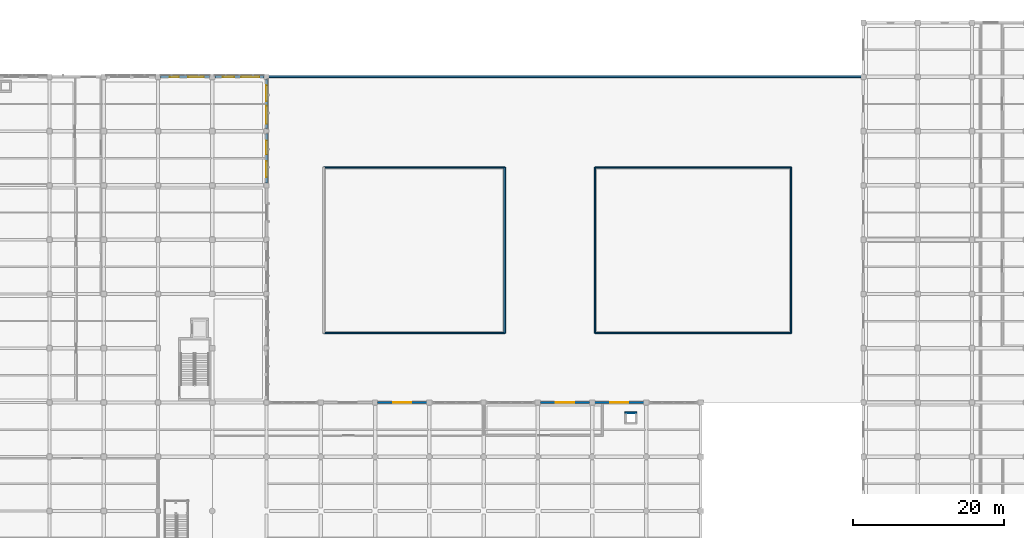
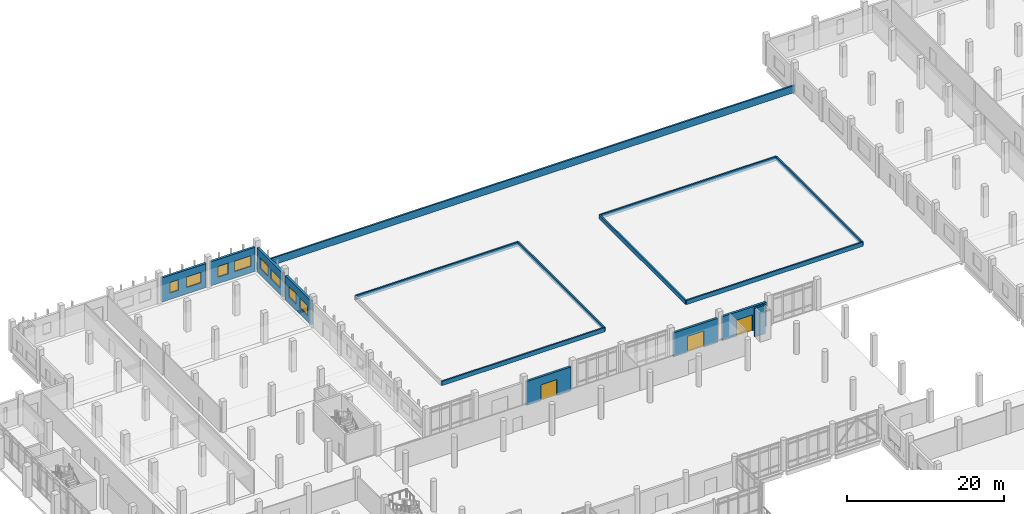
# One storey, part 39 of 59: 16 walls, 8 windows, 3 doors, 11 openings.
"""IFC4 building model written with IfcOpenShell, lengths in metres."""

from ifc_helpers import new_model, si_unit, direction, frame, frame_2d, origin, place, context, subcontext, project, spatial, rectangle, extrude, material, layer, layer_set, type_object, element, fill, save


model = new_model("IFC4")

# Units and contexts
model_context = context("Model", 3, precision=1e-05, world=origin(), true_north=direction((0.0, 1.0)))
body_context = subcontext(model_context, "Body", "Model", "MODEL_VIEW")
ifc_project = project(units=[si_unit("LENGTHUNIT", "METRE"), si_unit("AREAUNIT", "SQUARE_METRE"), si_unit("VOLUMEUNIT", "CUBIC_METRE"), si_unit("PLANEANGLEUNIT", "RADIAN"), si_unit("MASSUNIT", "GRAM", prefix="KILO")], contexts=[model_context])

# Site, building, storey
site_placement = place(None, origin())
site = spatial("IfcSite", under=ifc_project, at=site_placement, CompositionType="ELEMENT")
building_placement = place(site_placement, origin())
building = spatial("IfcBuilding", under=site, at=building_placement, Name="Valkovuoma Quantum and Materials Research Institute", CompositionType="ELEMENT")
storey_placement = place(building_placement, origin())
storey = spatial("IfcBuildingStorey", under=building, at=storey_placement, Name="L00", CompositionType="ELEMENT", Elevation=0.0)

# Wall, opening, door
ifc_material_1 = material(Name="Precast concrete C40/50", Category="concrete")
ifc_layer_1 = layer(ifc_material_1, 0.320068359375)
ifc_layer_set_1 = layer_set([ifc_layer_1], Name="Precast concrete C40/50")
wall_type_1 = type_object("IfcWallType", Name="Wall-W-EXT320", PredefinedType="SOLIDWALL", material=ifc_layer_set_1)
wall_1_placement = place(storey_placement, frame((65.139892578125, 64.800048828125, 0.0), z_axis=(0.0, 0.0, 1.0), x_axis=(1.0, 0.0, 0.0)))
wall_1 = element("IfcWall", 1, at=wall_1_placement, inside=storey, type_object=wall_type_1, Name="L00 exterior wall 0079", PredefinedType="SOLIDWALL", context=body_context, shape_type="SweptSolid", body=[
    extrude(rectangle(XDim=6.52001953125, YDim=0.320068359375, at=frame_2d((3.260009765625, 0.0))), origin(), (0.0, 0.0, 1.0), 3.75),
])
opening_1_placement = place(wall_1_placement, frame((2.06005859375, 0.0, 0.0)))
opening_1 = element("IfcOpeningElement", 2, at=opening_1_placement, cuts=wall_1, Name="Opening ED-014", PredefinedType="OPENING", context=body_context, shape_type="SweptSolid", body=[
    extrude(rectangle(XDim=2.39990234375, YDim=2.5, at=frame_2d((1.199951171875, 1.25))), frame((0.0, 0.169921875, 0.0), z_axis=(0.0, -1.0, 0.0), x_axis=(1.0, 0.0, 0.0)), (0.0, 0.0, 1.0), 0.340087890625),
])
ifc_material_2 = material(Name="Thermally broken insulated aluminium and steel door", Category="steel")
door_type = type_object("IfcDoorType", Name="Door-DR-EX05", OperationType="NOTDEFINED", PredefinedType="DOOR", material=ifc_material_2)
door_1_placement = place(opening_1_placement, origin())
door_1 = element("IfcDoor", 3, at=door_1_placement, inside=storey, type_object=door_type, Name="L00 exterior door 014", OperationType="DOUBLE_DOOR_SINGLE_SWING", OverallHeight=2.5, OverallWidth=2.39990234375, PredefinedType="DOOR", context=body_context, shape_type="SweptSolid", body=[
    extrude(rectangle(XDim=2.39990234375, YDim=2.5, at=frame_2d((1.199951171875, 1.25))), frame((0.0, 0.02490234375, 0.0), z_axis=(0.0, -1.0, 0.0), x_axis=(1.0, 0.0, 0.0)), (0.0, 0.0, 1.0), 0.050048828125),
])
fill(opening_1, door_1)

wall_2_placement = place(storey_placement, frame((86.739990234375, 64.800048828125, 0.0), z_axis=(0.0, 0.0, 1.0), x_axis=(1.0, 0.0, 0.0)))
wall_2 = element("IfcWall", 4, at=wall_2_placement, inside=storey, type_object=wall_type_1, Name="L00 exterior wall 0080", PredefinedType="SOLIDWALL", context=body_context, shape_type="SweptSolid", body=[
    extrude(rectangle(XDim=6.52001953125, YDim=0.320068359375, at=frame_2d((3.260009765625, 0.0))), origin(), (0.0, 0.0, 1.0), 3.75),
])
opening_2_placement = place(wall_2_placement, frame((2.06005859375, 0.0, 0.0)))
opening_2 = element("IfcOpeningElement", 5, at=opening_2_placement, cuts=wall_2, Name="Opening ED-015", PredefinedType="OPENING", context=body_context, shape_type="SweptSolid", body=[
    extrude(rectangle(XDim=2.39990234375, YDim=2.5, at=frame_2d((1.199951171875, 1.25))), frame((0.0, 0.169921875, 0.0), z_axis=(0.0, -1.0, 0.0), x_axis=(1.0, 0.0, 0.0)), (0.0, 0.0, 1.0), 0.340087890625),
])
door_2_placement = place(opening_2_placement, origin())
door_2 = element("IfcDoor", 6, at=door_2_placement, inside=storey, type_object=door_type, Name="L00 exterior door 015", OperationType="DOUBLE_DOOR_SINGLE_SWING", OverallHeight=2.5, OverallWidth=2.39990234375, PredefinedType="DOOR", context=body_context, shape_type="SweptSolid", body=[
    extrude(rectangle(XDim=2.39990234375, YDim=2.5, at=frame_2d((1.199951171875, 1.25))), frame((0.0, 0.02490234375, 0.0), z_axis=(0.0, -1.0, 0.0), x_axis=(1.0, 0.0, 0.0)), (0.0, 0.0, 1.0), 0.050048828125),
])
fill(opening_2, door_2)

wall_3_placement = place(storey_placement, frame((93.93994140625, 64.800048828125, 0.0), z_axis=(0.0, 0.0, 1.0), x_axis=(1.0, 0.0, 0.0)))
wall_3 = element("IfcWall", 7, at=wall_3_placement, inside=storey, type_object=wall_type_1, Name="L00 exterior wall 0081", PredefinedType="SOLIDWALL", context=body_context, shape_type="SweptSolid", body=[
    extrude(rectangle(XDim=6.52001953125, YDim=0.320068359375, at=frame_2d((3.260009765625, 0.0))), origin(), (0.0, 0.0, 1.0), 3.75),
])
opening_3_placement = place(wall_3_placement, frame((2.06005859375, 0.0, 0.0)))
opening_3 = element("IfcOpeningElement", 8, at=opening_3_placement, cuts=wall_3, Name="Opening ED-016", PredefinedType="OPENING", context=body_context, shape_type="SweptSolid", body=[
    extrude(rectangle(XDim=2.39990234375, YDim=2.5, at=frame_2d((1.199951171875, 1.25))), frame((0.0, 0.169921875, 0.0), z_axis=(0.0, -1.0, 0.0), x_axis=(1.0, 0.0, 0.0)), (0.0, 0.0, 1.0), 0.340087890625),
])
door_3_placement = place(opening_3_placement, origin())
door_3 = element("IfcDoor", 9, at=door_3_placement, inside=storey, type_object=door_type, Name="L00 exterior door 016", OperationType="DOUBLE_DOOR_SINGLE_SWING", OverallHeight=2.5, OverallWidth=2.39990234375, PredefinedType="DOOR", context=body_context, shape_type="SweptSolid", body=[
    extrude(rectangle(XDim=2.39990234375, YDim=2.5, at=frame_2d((1.199951171875, 1.25))), frame((0.0, 0.02490234375, 0.0), z_axis=(0.0, -1.0, 0.0), x_axis=(1.0, 0.0, 0.0)), (0.0, 0.0, 1.0), 0.050048828125),
])
fill(opening_3, door_3)

# Wall, openings, windows
ifc_material_3 = material(Name="Precast concrete C40/50", Category="concrete")
ifc_layer_2 = layer(ifc_material_3, 0.340087890625)
ifc_layer_set_2 = layer_set([ifc_layer_2], Name="Precast concrete C40/50")
wall_type_2 = type_object("IfcWallType", Name="Wall-W-EXT340", PredefinedType="SOLIDWALL", material=ifc_layer_set_2)
wall_4_placement = place(storey_placement, frame((36.340087890625, 108.0, 0.0), z_axis=(0.0, 0.0, 1.0), x_axis=(1.0, 0.0, 0.0)))
wall_4 = element("IfcWall", 10, at=wall_4_placement, inside=storey, type_object=wall_type_2, Name="L00 exterior wall 0118", PredefinedType="SOLIDWALL", context=body_context, shape_type="SweptSolid", body=[
    extrude(rectangle(XDim=6.52001953125, YDim=0.340087890625, at=frame_2d((3.260009765625, 0.0))), origin(), (0.0, 0.0, 1.0), 3.75),
])
opening_4_placement = place(wall_4_placement, frame((1.2255859375, 0.0, 1.0)))
opening_4 = element("IfcOpeningElement", 11, at=opening_4_placement, cuts=wall_4, Name="Opening WN-CL06", PredefinedType="OPENING", context=body_context, shape_type="SweptSolid", body=[
    extrude(rectangle(XDim=1.199951171875, YDim=1.64990234375, at=frame_2d((0.60009765625, 0.824951171875))), frame((0.0, 0.18017578125, 0.0), z_axis=(0.0, -1.0, 0.0), x_axis=(1.0, 0.0, 0.0)), (0.0, 0.0, 1.0), 0.360107421875),
])
opening_5_placement = place(wall_4_placement, frame((3.644287109375, 0.0, 1.0)))
opening_5 = element("IfcOpeningElement", 12, at=opening_5_placement, cuts=wall_4, Name="Opening WN-CL09", PredefinedType="OPENING", context=body_context, shape_type="SweptSolid", body=[
    extrude(rectangle(XDim=2.10009765625, YDim=1.64990234375, at=frame_2d((1.050048828125, 0.824951171875))), frame((0.0, 0.18017578125, 0.0), z_axis=(0.0, -1.0, 0.0), x_axis=(1.0, 0.0, 0.0)), (0.0, 0.0, 1.0), 0.360107421875),
])
ifc_material_4 = material(Name="Triple low-E argon glazing in thermally broken aluminium frame", Category="aluminium")
window_type_1 = type_object("IfcWindowType", Name="Win-WN-CL06", PartitioningType="SINGLE_PANEL", PredefinedType="WINDOW", material=ifc_material_4)
window_1_placement = place(opening_4_placement, origin())
window_1 = element("IfcWindow", 13, at=window_1_placement, inside=storey, type_object=window_type_1, Name="L00 window 0108", OverallHeight=1.64990234375, OverallWidth=1.199951171875, PartitioningType="SINGLE_PANEL", PredefinedType="WINDOW", context=body_context, shape_type="SweptSolid", body=[
    extrude(rectangle(XDim=1.199951171875, YDim=1.64990234375, at=frame_2d((0.60009765625, 0.824951171875))), frame((0.0, 0.030029296875, 0.0), z_axis=(0.0, -1.0, 0.0), x_axis=(1.0, 0.0, 0.0)), (0.0, 0.0, 1.0), 0.06005859375),
])
fill(opening_4, window_1)
ifc_material_5 = material(Name="Triple low-E argon glazing in thermally broken aluminium frame", Category="aluminium")
window_type_2 = type_object("IfcWindowType", Name="Win-WN-CL09", PartitioningType="SINGLE_PANEL", PredefinedType="WINDOW", material=ifc_material_5)
window_2_placement = place(opening_5_placement, origin())
window_2 = element("IfcWindow", 14, at=window_2_placement, inside=storey, type_object=window_type_2, Name="L00 window 0109", OverallHeight=1.64990234375, OverallWidth=2.10009765625, PartitioningType="SINGLE_PANEL", PredefinedType="WINDOW", context=body_context, shape_type="SweptSolid", body=[
    extrude(rectangle(XDim=2.10009765625, YDim=1.64990234375, at=frame_2d((1.050048828125, 0.824951171875))), frame((0.0, 0.030029296875, 0.0), z_axis=(0.0, -1.0, 0.0), x_axis=(1.0, 0.0, 0.0)), (0.0, 0.0, 1.0), 0.06005859375),
])
fill(opening_5, window_2)

wall_5_placement = place(storey_placement, frame((43.5400390625, 108.0, 0.0), z_axis=(0.0, 0.0, 1.0), x_axis=(1.0, 0.0, 0.0)))
wall_5 = element("IfcWall", 15, at=wall_5_placement, inside=storey, type_object=wall_type_2, Name="L00 exterior wall 0119", PredefinedType="SOLIDWALL", context=body_context, shape_type="SweptSolid", body=[
    extrude(rectangle(XDim=6.52001953125, YDim=0.340087890625, at=frame_2d((3.260009765625, 0.0))), origin(), (0.0, 0.0, 1.0), 3.75),
])
opening_6_placement = place(wall_5_placement, frame((1.07568359375, 0.0, 1.0)))
opening_6 = element("IfcOpeningElement", 16, at=opening_6_placement, cuts=wall_5, Name="Opening WN-CL07", PredefinedType="OPENING", context=body_context, shape_type="SweptSolid", body=[
    extrude(rectangle(XDim=1.5, YDim=1.64990234375, at=frame_2d((0.75, 0.824951171875))), frame((0.0, 0.18017578125, 0.0), z_axis=(0.0, -1.0, 0.0), x_axis=(1.0, 0.0, 0.0)), (0.0, 0.0, 1.0), 0.360107421875),
])
opening_7_placement = place(wall_5_placement, frame((3.494384765625, 0.0, 1.0)))
opening_7 = element("IfcOpeningElement", 17, at=opening_7_placement, cuts=wall_5, Name="Opening WN-CL10", PredefinedType="OPENING", context=body_context, shape_type="SweptSolid", body=[
    extrude(rectangle(XDim=2.39990234375, YDim=1.64990234375, at=frame_2d((1.199951171875, 0.824951171875))), frame((0.0, 0.18017578125, 0.0), z_axis=(0.0, -1.0, 0.0), x_axis=(1.0, 0.0, 0.0)), (0.0, 0.0, 1.0), 0.360107421875),
])
ifc_material_6 = material(Name="Triple low-E argon glazing in thermally broken aluminium frame", Category="aluminium")
window_type_3 = type_object("IfcWindowType", Name="Win-WN-CL07", PartitioningType="SINGLE_PANEL", PredefinedType="WINDOW", material=ifc_material_6)
window_3_placement = place(opening_6_placement, origin())
window_3 = element("IfcWindow", 18, at=window_3_placement, inside=storey, type_object=window_type_3, Name="L00 window 0110", OverallHeight=1.64990234375, OverallWidth=1.5, PartitioningType="SINGLE_PANEL", PredefinedType="WINDOW", context=body_context, shape_type="SweptSolid", body=[
    extrude(rectangle(XDim=1.5, YDim=1.64990234375, at=frame_2d((0.75, 0.824951171875))), frame((0.0, 0.030029296875, 0.0), z_axis=(0.0, -1.0, 0.0), x_axis=(1.0, 0.0, 0.0)), (0.0, 0.0, 1.0), 0.06005859375),
])
fill(opening_6, window_3)
ifc_material_7 = material(Name="Triple low-E argon glazing in thermally broken aluminium frame", Category="aluminium")
window_type_4 = type_object("IfcWindowType", Name="Win-WN-CL10", PartitioningType="SINGLE_PANEL", PredefinedType="WINDOW", material=ifc_material_7)
window_4_placement = place(opening_7_placement, origin())
window_4 = element("IfcWindow", 19, at=window_4_placement, inside=storey, type_object=window_type_4, Name="L00 window 0111", OverallHeight=1.64990234375, OverallWidth=2.39990234375, PartitioningType="SINGLE_PANEL", PredefinedType="WINDOW", context=body_context, shape_type="SweptSolid", body=[
    extrude(rectangle(XDim=2.39990234375, YDim=1.64990234375, at=frame_2d((1.199951171875, 0.824951171875))), frame((0.0, 0.030029296875, 0.0), z_axis=(0.0, -1.0, 0.0), x_axis=(1.0, 0.0, 0.0)), (0.0, 0.0, 1.0), 0.06005859375),
])
fill(opening_7, window_4)

wall_6_placement = place(storey_placement, frame((50.39990234375, 93.93994140625, 0.0), z_axis=(0.0, 0.0, 1.0), x_axis=(0.0, 1.0, 0.0)))
wall_6 = element("IfcWall", 20, at=wall_6_placement, inside=storey, type_object=wall_type_2, Name="L00 exterior wall 0124", PredefinedType="SOLIDWALL", context=body_context, shape_type="SweptSolid", body=[
    extrude(rectangle(XDim=6.52001953125, YDim=0.340087890625, at=frame_2d((3.260009765625, 0.0))), origin(), (0.0, 0.0, 1.0), 3.75),
])
opening_8_placement = place(wall_6_placement, frame((0.775634765625, 0.0, 1.0)))
opening_8 = element("IfcOpeningElement", 21, at=opening_8_placement, cuts=wall_6, Name="Opening WN-CL04", PredefinedType="OPENING", context=body_context, shape_type="SweptSolid", body=[
    extrude(rectangle(XDim=2.10009765625, YDim=1.5, at=frame_2d((1.050048828125, 0.75))), frame((0.0, 0.18017578125, 0.0), z_axis=(0.0, -1.0, 0.0), x_axis=(1.0, 0.0, 0.0)), (0.0, 0.0, 1.0), 0.360107421875),
])
opening_9_placement = place(wall_6_placement, frame((3.79443359375, 0.0, 1.0)))
opening_9 = element("IfcOpeningElement", 22, at=opening_9_placement, cuts=wall_6, Name="Opening WN-CL08", PredefinedType="OPENING", context=body_context, shape_type="SweptSolid", body=[
    extrude(rectangle(XDim=1.800048828125, YDim=1.64990234375, at=frame_2d((0.89990234375, 0.824951171875))), frame((0.0, 0.18017578125, 0.0), z_axis=(0.0, -1.0, 0.0), x_axis=(1.0, 0.0, 0.0)), (0.0, 0.0, 1.0), 0.360107421875),
])
ifc_material_8 = material(Name="Triple low-E argon glazing in thermally broken aluminium frame", Category="aluminium")
window_type_5 = type_object("IfcWindowType", Name="Win-WN-CL04", PartitioningType="SINGLE_PANEL", PredefinedType="WINDOW", material=ifc_material_8)
window_5_placement = place(opening_8_placement, origin())
window_5 = element("IfcWindow", 23, at=window_5_placement, inside=storey, type_object=window_type_5, Name="L00 window 0118", OverallHeight=1.5, OverallWidth=2.10009765625, PartitioningType="SINGLE_PANEL", PredefinedType="WINDOW", context=body_context, shape_type="SweptSolid", body=[
    extrude(rectangle(XDim=2.10009765625, YDim=1.5, at=frame_2d((1.050048828125, 0.75))), frame((0.0, 0.030029296875, 0.0), z_axis=(0.0, -1.0, 0.0), x_axis=(1.0, 0.0, 0.0)), (0.0, 0.0, 1.0), 0.06005859375),
])
fill(opening_8, window_5)
ifc_material_9 = material(Name="Triple low-E argon glazing in thermally broken aluminium frame", Category="aluminium")
window_type_6 = type_object("IfcWindowType", Name="Win-WN-CL08", PartitioningType="SINGLE_PANEL", PredefinedType="WINDOW", material=ifc_material_9)
window_6_placement = place(opening_9_placement, origin())
window_6 = element("IfcWindow", 24, at=window_6_placement, inside=storey, type_object=window_type_6, Name="L00 window 0119", OverallHeight=1.64990234375, OverallWidth=1.800048828125, PartitioningType="SINGLE_PANEL", PredefinedType="WINDOW", context=body_context, shape_type="SweptSolid", body=[
    extrude(rectangle(XDim=1.800048828125, YDim=1.64990234375, at=frame_2d((0.89990234375, 0.824951171875))), frame((0.0, 0.030029296875, 0.0), z_axis=(0.0, -1.0, 0.0), x_axis=(1.0, 0.0, 0.0)), (0.0, 0.0, 1.0), 0.06005859375),
])
fill(opening_9, window_6)

wall_7_placement = place(storey_placement, frame((50.39990234375, 101.139892578125, 0.0), z_axis=(0.0, 0.0, 1.0), x_axis=(0.0, 1.0, 0.0)))
wall_7 = element("IfcWall", 25, at=wall_7_placement, inside=storey, type_object=wall_type_2, Name="L00 exterior wall 0125", PredefinedType="SOLIDWALL", context=body_context, shape_type="SweptSolid", body=[
    extrude(rectangle(XDim=6.52001953125, YDim=0.340087890625, at=frame_2d((3.260009765625, 0.0))), origin(), (0.0, 0.0, 1.0), 3.75),
])
opening_10_placement = place(wall_7_placement, frame((0.62548828125, 0.0, 1.0)))
opening_10 = element("IfcOpeningElement", 26, at=opening_10_placement, cuts=wall_7, Name="Opening WN-CL05", PredefinedType="OPENING", context=body_context, shape_type="SweptSolid", body=[
    extrude(rectangle(XDim=2.39990234375, YDim=1.5, at=frame_2d((1.199951171875, 0.75))), frame((0.0, 0.18017578125, 0.0), z_axis=(0.0, -1.0, 0.0), x_axis=(1.0, 0.0, 0.0)), (0.0, 0.0, 1.0), 0.360107421875),
])
opening_11_placement = place(wall_7_placement, frame((3.644287109375, 0.0, 1.0)))
opening_11 = element("IfcOpeningElement", 27, at=opening_11_placement, cuts=wall_7, Name="Opening WN-CL09", PredefinedType="OPENING", context=body_context, shape_type="SweptSolid", body=[
    extrude(rectangle(XDim=2.10009765625, YDim=1.64990234375, at=frame_2d((1.050048828125, 0.824951171875))), frame((0.0, 0.18017578125, 0.0), z_axis=(0.0, -1.0, 0.0), x_axis=(1.0, 0.0, 0.0)), (0.0, 0.0, 1.0), 0.360107421875),
])
ifc_material_10 = material(Name="Triple low-E argon glazing in thermally broken aluminium frame", Category="aluminium")
window_type_7 = type_object("IfcWindowType", Name="Win-WN-CL05", PartitioningType="SINGLE_PANEL", PredefinedType="WINDOW", material=ifc_material_10)
window_7_placement = place(opening_10_placement, origin())
window_7 = element("IfcWindow", 28, at=window_7_placement, inside=storey, type_object=window_type_7, Name="L00 window 0120", OverallHeight=1.5, OverallWidth=2.39990234375, PartitioningType="SINGLE_PANEL", PredefinedType="WINDOW", context=body_context, shape_type="SweptSolid", body=[
    extrude(rectangle(XDim=2.39990234375, YDim=1.5, at=frame_2d((1.199951171875, 0.75))), frame((0.0, 0.030029296875, 0.0), z_axis=(0.0, -1.0, 0.0), x_axis=(1.0, 0.0, 0.0)), (0.0, 0.0, 1.0), 0.06005859375),
])
fill(opening_10, window_7)
window_8_placement = place(opening_11_placement, origin())
window_8 = element("IfcWindow", 29, at=window_8_placement, inside=storey, type_object=window_type_2, Name="L00 window 0121", OverallHeight=1.64990234375, OverallWidth=2.10009765625, PartitioningType="SINGLE_PANEL", PredefinedType="WINDOW", context=body_context, shape_type="SweptSolid", body=[
    extrude(rectangle(XDim=2.10009765625, YDim=1.64990234375, at=frame_2d((1.050048828125, 0.824951171875))), frame((0.0, 0.030029296875, 0.0), z_axis=(0.0, -1.0, 0.0), x_axis=(1.0, 0.0, 0.0)), (0.0, 0.0, 1.0), 0.06005859375),
])
fill(opening_11, window_8)

# Walls
ifc_material_11 = material(Name="Precast concrete C40/50", Category="concrete")
ifc_layer_3 = layer(ifc_material_11, 0.219970703125)
ifc_layer_set_3 = layer_set([ifc_layer_3], Name="Precast concrete C40/50")
wall_type_3 = type_object("IfcWallType", Name="Wall-W-PAR220", PredefinedType="PARAPET", material=ifc_layer_set_3)
for number, where, z_axis, x_axis, name in (
    (30, (58.0, 74.0, 0.0), (0.0, 0.0, 1.0), (1.0, 0.0, 0.0), "L00 exterior wall 0440"),
    (31, (58.0, 96.0, 0.0), (0.0, 0.0, 1.0), (1.0, 0.0, 0.0), "L00 exterior wall 0441"),
):
    element("IfcWall", number, at=place(storey_placement, frame(where, z_axis=z_axis, x_axis=x_axis)), inside=storey, type_object=wall_type_3, Name=name, PredefinedType="PARAPET", context=body_context, shape_type="SweptSolid", body=[
        extrude(rectangle(XDim=24.0, YDim=0.219970703125, at=frame_2d((12.0, 0.0))), origin(), (0.0, 0.0, 1.0), 0.64990234375),
    ])
wall_8_placement = place(storey_placement, frame((82.0, 74.0, 0.0), z_axis=(0.0, 0.0, 1.0), x_axis=(0.0, 1.0, 0.0)))
element("IfcWall", 32, at=wall_8_placement, inside=storey, type_object=wall_type_3, Name="L00 exterior wall 0443", PredefinedType="PARAPET", context=body_context, shape_type="SweptSolid", body=[
    extrude(rectangle(XDim=22.0, YDim=0.219970703125, at=frame_2d((11.0, 0.0))), origin(), (0.0, 0.0, 1.0), 0.64990234375),
])
for number, where, z_axis, x_axis, name in (
    (33, (94.0, 74.0, 0.0), (0.0, 0.0, 1.0), (1.0, 0.0, 0.0), "L00 exterior wall 0444"),
    (34, (94.0, 96.0, 0.0), (0.0, 0.0, 1.0), (1.0, 0.0, 0.0), "L00 exterior wall 0445"),
):
    element("IfcWall", number, at=place(storey_placement, frame(where, z_axis=z_axis, x_axis=x_axis)), inside=storey, type_object=wall_type_3, Name=name, PredefinedType="PARAPET", context=body_context, shape_type="SweptSolid", body=[
        extrude(rectangle(XDim=26.0, YDim=0.219970703125, at=frame_2d((13.0, 0.0))), origin(), (0.0, 0.0, 1.0), 0.64990234375),
    ])
for number, where, z_axis, x_axis, name in (
    (35, (94.0, 74.0, 0.0), (0.0, 0.0, 1.0), (0.0, 1.0, 0.0), "L00 exterior wall 0446"),
    (36, (120.0, 74.0, 0.0), (0.0, 0.0, 1.0), (0.0, 1.0, 0.0), "L00 exterior wall 0447"),
):
    element("IfcWall", number, at=place(storey_placement, frame(where, z_axis=z_axis, x_axis=x_axis)), inside=storey, type_object=wall_type_3, Name=name, PredefinedType="PARAPET", context=body_context, shape_type="SweptSolid", body=[
        extrude(rectangle(XDim=22.0, YDim=0.219970703125, at=frame_2d((11.0, 0.0))), origin(), (0.0, 0.0, 1.0), 0.64990234375),
    ])
ifc_material_12 = material(Name="Precast concrete C40/50", Category="concrete")
ifc_layer_4 = layer(ifc_material_12, 0.25)
ifc_layer_set_4 = layer_set([ifc_layer_4], Name="Precast concrete C40/50")
wall_type_4 = type_object("IfcWallType", Name="Wall-W-PAR250", PredefinedType="PARAPET", material=ifc_layer_set_4)
wall_9_placement = place(storey_placement, frame((50.39990234375, 108.0, 0.0), z_axis=(0.0, 0.0, 1.0), x_axis=(1.0, 0.0, 0.0)))
element("IfcWall", 37, at=wall_9_placement, inside=storey, type_object=wall_type_4, Name="L00 exterior wall 0439", PredefinedType="PARAPET", context=body_context, shape_type="SweptSolid", body=[
    extrude(rectangle(XDim=79.2001953125, YDim=0.25, at=frame_2d((39.60009765625, 0.0))), origin(), (0.0, 0.0, 1.0), 1.10009765625),
])
ifc_material_13 = material(Name="Concrete C40/50", Category="concrete")
ifc_layer_5 = layer(ifc_material_13, 0.239990234375)
ifc_layer_set_5 = layer_set([ifc_layer_5], Name="Concrete C40/50")
wall_type_5 = type_object("IfcWallType", Name="Wall-W-SHF240", PredefinedType="SOLIDWALL", material=ifc_layer_set_5)
wall_10_placement = place(storey_placement, frame((97.9599609375, 63.419921875, 0.0), z_axis=(0.0, 0.0, 1.0), x_axis=(1.0, 0.0, 0.0)))
element("IfcWall", 38, at=wall_10_placement, inside=storey, type_object=wall_type_5, Name="L00 core wall 0350", PredefinedType="SOLIDWALL", context=body_context, shape_type="SweptSolid", body=[
    extrude(rectangle(XDim=1.580078125, YDim=0.239990234375, at=frame_2d((0.7900390625, 0.0))), origin(), (0.0, 0.0, 1.0), 4.449951171875),
])

save(model, "model.ifc")
